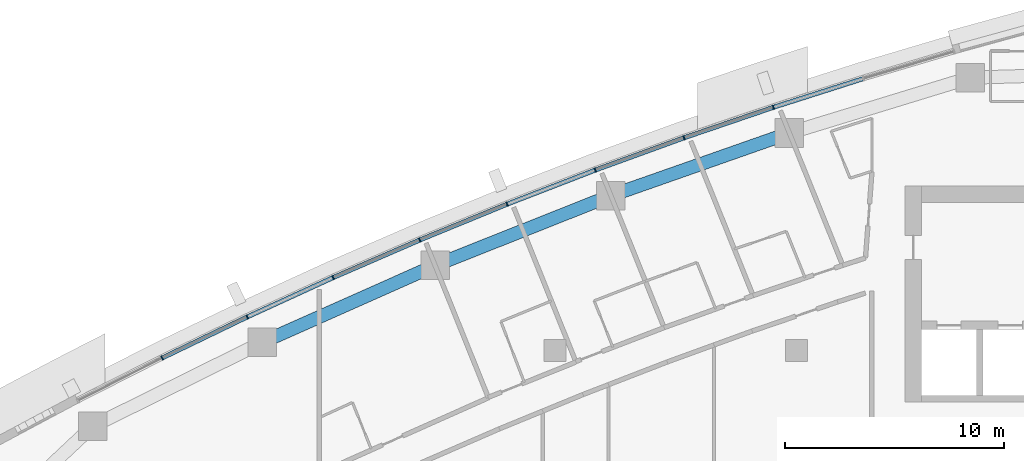
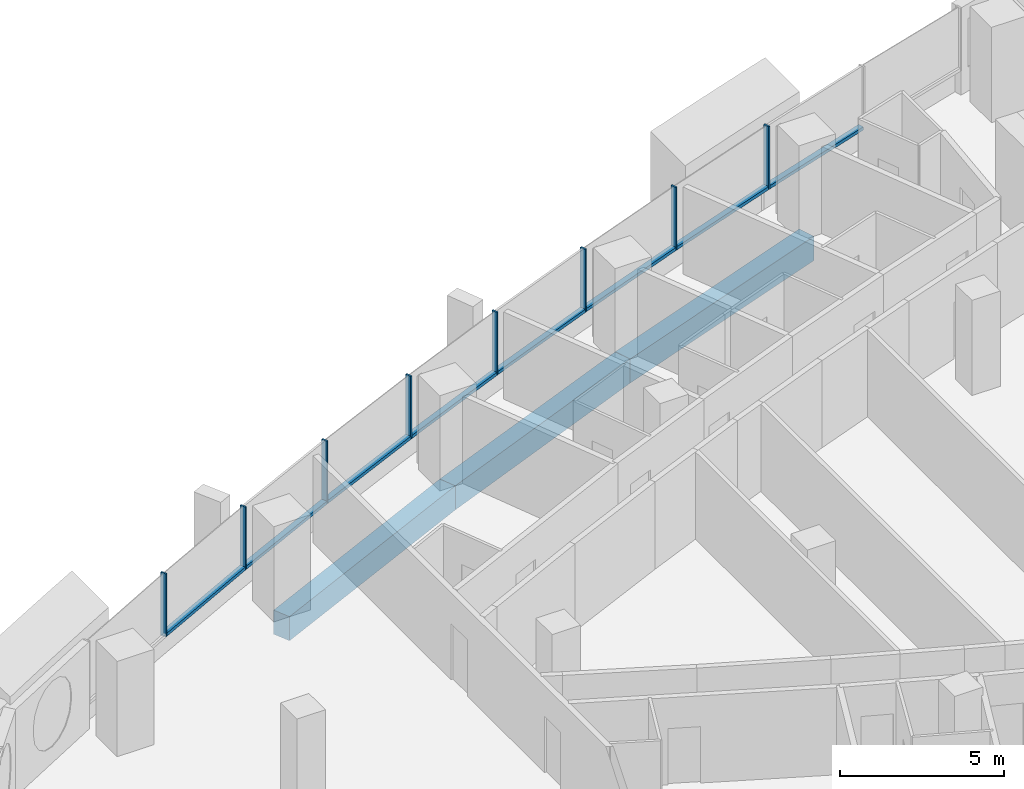
# One storey, part 6 of 17: 16 members, 3 beams, 5 elements without a shape of their own.
"""IFC4 building model written with IfcOpenShell, lengths in metres."""

from ifc_helpers import new_model, si_unit, direction, frame, origin, origin_2d, place, context, subcontext, project, spatial, rectangle, extrude, material, layer, layer_set, material_profile, profile_set, type_object, element, aggregate, save


model = new_model("IFC4")

# Units and contexts
model_context = context("Model", 3, precision=1e-05, world=origin(), true_north=direction((0.0, 1.0)))
body_context = subcontext(model_context, "Body", "Model", "MODEL_VIEW")
ifc_project = project(units=[si_unit("LENGTHUNIT", "METRE"), si_unit("AREAUNIT", "SQUARE_METRE"), si_unit("VOLUMEUNIT", "CUBIC_METRE"), si_unit("PLANEANGLEUNIT", "RADIAN"), si_unit("MASSUNIT", "GRAM", prefix="KILO")], contexts=[model_context])

# Site, building, storey
site_placement = place(None, origin())
site = spatial("IfcSite", under=ifc_project, at=site_placement, CompositionType="ELEMENT")
building_placement = place(site_placement, origin())
building = spatial("IfcBuilding", under=site, at=building_placement, Name="Ostrand Prow Hotel Tower", CompositionType="ELEMENT")
storey_placement = place(building_placement, frame((0.0, 0.0, 203.89990234375)))
storey = spatial("IfcBuildingStorey", under=building, at=storey_placement, Name="L51", CompositionType="ELEMENT", Elevation=203.89990234375)

# Beams
ifc_material_1 = material(Name="Concrete C60/75", Category="concrete")
ifc_material_profile_1 = material_profile(ifc_material_1, rectangle(XDim=0.60009765625, YDim=0.89990234375, at=origin_2d()), Name="RC 600x900")
ifc_profile_set_1 = profile_set([ifc_material_profile_1], Name="Concrete C60/75")
beam_type = type_object("IfcBeamType", Name="Edge beam 600x900 C60/75", PredefinedType="SPANDREL", material=ifc_profile_set_1)
for number, where, z_axis, x_axis, name in (
    (1, (44.6826171875, 18.91552734375, -0.75), (-0.943593618681, -0.33110584831, 0.0), (0.33110584831, -0.943593618681, 0.0), "Edge beam N2-N3"),
    (2, (36.547119140625, 16.060791015625, -0.75), (-0.929376173753, -0.36913402398, 0.0), (0.36913402398, -0.929376173753, 0.0), "Edge beam N3-N4"),
    (3, (28.5341796875, 12.878173828125, -0.75), (-0.91364332073, -0.406516767779, 0.0), (0.406516767779, -0.91364332073, 0.0), "Edge beam N4-N5"),
):
    element("IfcBeam", number, at=place(storey_placement, frame(where, z_axis=z_axis, x_axis=x_axis)), inside=storey, type_object=beam_type, Name=name, PredefinedType="SPANDREL", context=body_context, shape_type="SweptSolid", body=[
        extrude(rectangle(XDim=0.60009765625, YDim=0.89990234375, at=origin_2d()), origin(), (0.0, 0.0, 1.0), 8.621826171875),
    ])

# Curtain wall, member
ifc_material_2 = material(Name="Insulated glass in bronze anodised frame", Category="glass")
ifc_layer = layer(ifc_material_2, 0.199951171875)
ifc_layer_set = layer_set([ifc_layer], Name="Insulated glass in bronze anodised frame")
curtain_wall_type = type_object("IfcCurtainWallType", Name="Strip curtain wall, fritted glass over bronze spandrel", PredefinedType="NOTDEFINED", material=ifc_layer_set)
curtain_wall_1_placement = place(storey_placement, origin())
curtain_wall_1 = element("IfcCurtainWall", 4, at=curtain_wall_1_placement, inside=storey, type_object=curtain_wall_type, Name="CW1 run CWN1", PredefinedType="NOTDEFINED")
ifc_material_3 = material(Name="Bronze anodised aluminium", Category="aluminium")
ifc_material_profile_2 = material_profile(ifc_material_3, rectangle(XDim=0.199951171875, YDim=0.06005859375, at=origin_2d()), Name="Mullion 60x200 bronze anodised aluminium")
ifc_profile_set_2 = profile_set([ifc_material_profile_2], Name="Bronze anodised aluminium")
member_type_1 = type_object("IfcMemberType", Name="Mullion 60x200 bronze anodised aluminium", PredefinedType="MULLION", material=ifc_profile_set_2)
member_1_placement = place(storey_placement, frame((43.95361328125, 20.086669921875, 0.900146484375), z_axis=(0.0, 0.0, 1.0), x_axis=(0.303786970008, -0.952739983864, 0.0)))
member_1 = element("IfcMember", 5, at=member_1_placement, type_object=member_type_1, Name="CW1 mullion 3", PredefinedType="MULLION", context=body_context, shape_type="SweptSolid", body=[
    extrude(rectangle(XDim=0.199951171875, YDim=0.06005859375, at=origin_2d()), origin(), (0.0, 0.0, 1.0), 2.349853515625),
])

# Curtain wall, members
curtain_wall_2_placement = place(storey_placement, origin())
curtain_wall_2 = element("IfcCurtainWall", 6, at=curtain_wall_2_placement, inside=storey, type_object=curtain_wall_type, Name="CW1 run CWN2", PredefinedType="NOTDEFINED")
member_2_placement = place(storey_placement, frame((39.87939453125, 18.696533203125, 0.900146484375), z_axis=(0.0, 0.0, 1.0), x_axis=(0.341897134919, -0.939737383067, 0.0)))
member_2 = element("IfcMember", 7, at=member_2_placement, type_object=member_type_1, Name="CW1 mullion 2", PredefinedType="MULLION", context=body_context, shape_type="SweptSolid", body=[
    extrude(rectangle(XDim=0.199951171875, YDim=0.06005859375, at=origin_2d()), origin(), (0.0, 0.0, 1.0), 2.349853515625),
])
member_3_placement = place(storey_placement, frame((35.833740234375, 17.224609375, 0.900146484375), z_axis=(0.0, 0.0, 1.0), x_axis=(0.341897134919, -0.939737383067, 0.0)))
member_3 = element("IfcMember", 8, at=member_3_placement, type_object=member_type_1, Name="CW1 mullion 3", PredefinedType="MULLION", context=body_context, shape_type="SweptSolid", body=[
    extrude(rectangle(XDim=0.199951171875, YDim=0.06005859375, at=origin_2d()), origin(), (0.0, 0.0, 1.0), 2.349853515625),
])

curtain_wall_3_placement = place(storey_placement, origin())
curtain_wall_3 = element("IfcCurtainWall", 9, at=curtain_wall_3_placement, inside=storey, type_object=curtain_wall_type, Name="CW1 run CWN3", PredefinedType="NOTDEFINED")
member_4_placement = place(storey_placement, frame((31.818603515625, 15.671630859375, 0.900146484375), z_axis=(0.0, 0.0, 1.0), x_axis=(0.379452929936, -0.925211042932, 0.0)))
member_4 = element("IfcMember", 10, at=member_4_placement, type_object=member_type_1, Name="CW1 mullion 2", PredefinedType="MULLION", context=body_context, shape_type="SweptSolid", body=[
    extrude(rectangle(XDim=0.199951171875, YDim=0.06005859375, at=origin_2d()), origin(), (0.0, 0.0, 1.0), 2.349853515625),
])
member_5_placement = place(storey_placement, frame((27.83544921875, 14.0380859375, 0.900146484375), z_axis=(0.0, 0.0, 1.0), x_axis=(0.379452929936, -0.925211042932, 0.0)))
member_5 = element("IfcMember", 11, at=member_5_placement, type_object=member_type_1, Name="CW1 mullion 3", PredefinedType="MULLION", context=body_context, shape_type="SweptSolid", body=[
    extrude(rectangle(XDim=0.199951171875, YDim=0.06005859375, at=origin_2d()), origin(), (0.0, 0.0, 1.0), 2.349853515625),
])

curtain_wall_4_placement = place(storey_placement, origin())
curtain_wall_4 = element("IfcCurtainWall", 12, at=curtain_wall_4_placement, inside=storey, type_object=curtain_wall_type, Name="CW1 run CWN4", PredefinedType="NOTDEFINED")
member_6_placement = place(storey_placement, frame((23.885986328125, 12.32470703125, 0.900146484375), z_axis=(0.0, 0.0, 1.0), x_axis=(0.416393460127, -0.909184517226, 0.0)))
member_6 = element("IfcMember", 13, at=member_6_placement, type_object=member_type_1, Name="CW1 mullion 2", PredefinedType="MULLION", context=body_context, shape_type="SweptSolid", body=[
    extrude(rectangle(XDim=0.199951171875, YDim=0.06005859375, at=origin_2d()), origin(), (0.0, 0.0, 1.0), 2.349853515625),
])
member_7_placement = place(storey_placement, frame((19.971923828125, 10.531982421875, 0.900146484375), z_axis=(0.0, 0.0, 1.0), x_axis=(0.416393460127, -0.909184517226, 0.0)))
member_7 = element("IfcMember", 14, at=member_7_placement, type_object=member_type_1, Name="CW1 mullion 3", PredefinedType="MULLION", context=body_context, shape_type="SweptSolid", body=[
    extrude(rectangle(XDim=0.199951171875, YDim=0.06005859375, at=origin_2d()), origin(), (0.0, 0.0, 1.0), 2.349853515625),
])

# Curtain wall, member
curtain_wall_5_placement = place(storey_placement, origin())
curtain_wall_5 = element("IfcCurtainWall", 15, at=curtain_wall_5_placement, inside=storey, type_object=curtain_wall_type, Name="CW1 run CWN5", PredefinedType="NOTDEFINED")
member_8_placement = place(storey_placement, frame((16.0947265625, 8.660888671875, 0.900146484375), z_axis=(0.0, 0.0, 1.0), x_axis=(0.452658828186, -0.891683792196, 0.0)))
member_8 = element("IfcMember", 16, at=member_8_placement, type_object=member_type_1, Name="CW1 mullion 2", PredefinedType="MULLION", context=body_context, shape_type="SweptSolid", body=[
    extrude(rectangle(XDim=0.199951171875, YDim=0.06005859375, at=origin_2d()), origin(), (0.0, 0.0, 1.0), 2.349853515625),
])

# Member
ifc_material_4 = material(Name="Bronze anodised aluminium", Category="aluminium")
ifc_material_profile_3 = material_profile(ifc_material_4, rectangle(XDim=0.199951171875, YDim=0.1201171875, at=origin_2d()), Name="Transom 120x200 bronze anodised aluminium")
ifc_profile_set_3 = profile_set([ifc_material_profile_3], Name="Bronze anodised aluminium")
member_type_2 = type_object("IfcMemberType", Name="Transom 120x200 bronze anodised aluminium", PredefinedType="USERDEFINED", material=ifc_profile_set_3)
member_9_placement = place(storey_placement, frame((48.026611328125, 21.385498046875, 0.960205078125), z_axis=(-0.952737512605, -0.303794720289, 0.0), x_axis=(0.303794720289, -0.952737512605, 0.0)))
member_9 = element("IfcMember", 17, at=member_9_placement, type_object=member_type_2, Name="CW1 transom 2.1", ObjectType="TRANSOM", PredefinedType="USERDEFINED", context=body_context, shape_type="SweptSolid", body=[
    extrude(rectangle(XDim=0.199951171875, YDim=0.1201171875, at=origin_2d()), origin(), (0.0, 0.0, 1.0), 4.244873046875),
])

aggregate(curtain_wall_1, [member_1, member_9])

member_10_placement = place(storey_placement, frame((43.92529296875, 20.0771484375, 0.960205078125), z_axis=(-0.946422327772, -0.322931536852, 0.0), x_axis=(0.322931536852, -0.946422327772, 0.0)))
member_10 = element("IfcMember", 18, at=member_10_placement, type_object=member_type_2, Name="CW1 transom 1.1", ObjectType="TRANSOM", PredefinedType="USERDEFINED", context=body_context, shape_type="SweptSolid", body=[
    extrude(rectangle(XDim=0.199951171875, YDim=0.1201171875, at=origin_2d()), origin(), (0.0, 0.0, 1.0), 4.2451171875),
])

member_11_placement = place(storey_placement, frame((39.85107421875, 18.686279296875, 0.960205078125), z_axis=(-0.939753116272, -0.341853887584, 0.0), x_axis=(0.341853887584, -0.939753116272, 0.0)))
member_11 = element("IfcMember", 19, at=member_11_placement, type_object=member_type_2, Name="CW1 transom 2.1", ObjectType="TRANSOM", PredefinedType="USERDEFINED", context=body_context, shape_type="SweptSolid", body=[
    extrude(rectangle(XDim=0.199951171875, YDim=0.1201171875, at=origin_2d()), origin(), (0.0, 0.0, 1.0), 4.2451171875),
])

aggregate(curtain_wall_2, [member_2, member_3, member_10, member_11])

member_12_placement = place(storey_placement, frame((35.8056640625, 17.2138671875, 0.960205078125), z_axis=(-0.932675482501, -0.360716570651, 0.0), x_axis=(0.360716570651, -0.932675482501, 0.0)))
member_12 = element("IfcMember", 20, at=member_12_placement, type_object=member_type_2, Name="CW1 transom 1.1", ObjectType="TRANSOM", PredefinedType="USERDEFINED", context=body_context, shape_type="SweptSolid", body=[
    extrude(rectangle(XDim=0.199951171875, YDim=0.1201171875, at=origin_2d()), origin(), (0.0, 0.0, 1.0), 4.2451171875),
])

member_13_placement = place(storey_placement, frame((31.790771484375, 15.660400390625, 0.960205078125), z_axis=(-0.925213143858, -0.379447807258, 0.0), x_axis=(0.379447807258, -0.925213143858, 0.0)))
member_13 = element("IfcMember", 21, at=member_13_placement, type_object=member_type_2, Name="CW1 transom 2.1", ObjectType="TRANSOM", PredefinedType="USERDEFINED", context=body_context, shape_type="SweptSolid", body=[
    extrude(rectangle(XDim=0.199951171875, YDim=0.1201171875, at=origin_2d()), origin(), (0.0, 0.0, 1.0), 4.2451171875),
])

aggregate(curtain_wall_3, [member_4, member_5, member_12, member_13])

member_14_placement = place(storey_placement, frame((27.807861328125, 14.026123046875, 0.960205078125), z_axis=(-0.917389785482, -0.397989926371, 0.0), x_axis=(0.397989926371, -0.917389785482, 0.0)))
member_14 = element("IfcMember", 22, at=member_14_placement, type_object=member_type_2, Name="CW1 transom 1.1", ObjectType="TRANSOM", PredefinedType="USERDEFINED", context=body_context, shape_type="SweptSolid", body=[
    extrude(rectangle(XDim=0.199951171875, YDim=0.1201171875, at=origin_2d()), origin(), (0.0, 0.0, 1.0), 4.244873046875),
])

member_15_placement = place(storey_placement, frame((23.858642578125, 12.312255859375, 0.960205078125), z_axis=(-0.909159196143, -0.416448743628, 0.0), x_axis=(0.416448743628, -0.909159196143, 0.0)))
member_15 = element("IfcMember", 23, at=member_15_placement, type_object=member_type_2, Name="CW1 transom 2.1", ObjectType="TRANSOM", PredefinedType="USERDEFINED", context=body_context, shape_type="SweptSolid", body=[
    extrude(rectangle(XDim=0.199951171875, YDim=0.1201171875, at=origin_2d()), origin(), (0.0, 0.0, 1.0), 4.244873046875),
])

aggregate(curtain_wall_4, [member_6, member_7, member_14, member_15])

member_16_placement = place(storey_placement, frame((19.94482421875, 10.51904296875, 0.960205078125), z_axis=(-0.900619174345, -0.434609137965, 0.0), x_axis=(0.434609137965, -0.900619174345, 0.0)))
member_16 = element("IfcMember", 24, at=member_16_placement, type_object=member_type_2, Name="CW1 transom 1.1", ObjectType="TRANSOM", PredefinedType="USERDEFINED", context=body_context, shape_type="SweptSolid", body=[
    extrude(rectangle(XDim=0.199951171875, YDim=0.1201171875, at=origin_2d()), origin(), (0.0, 0.0, 1.0), 4.2451171875),
])

aggregate(curtain_wall_5, [member_8, member_16])

save(model, "model.ifc")
